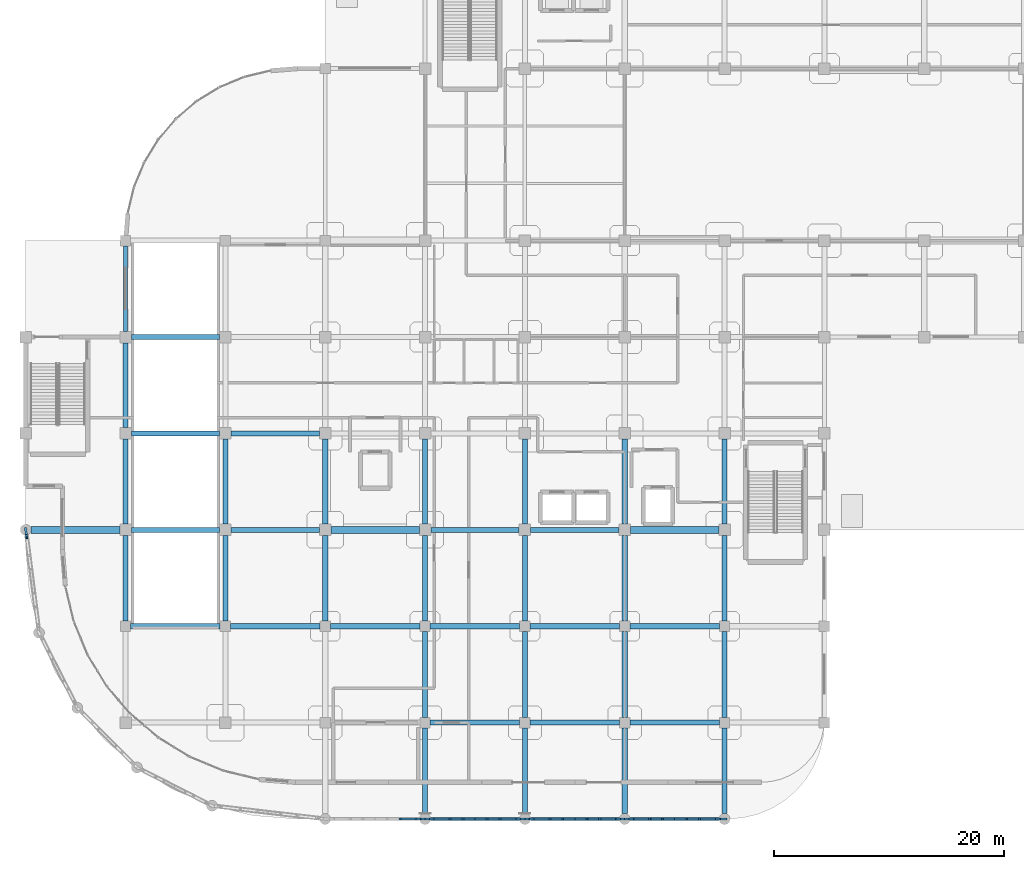
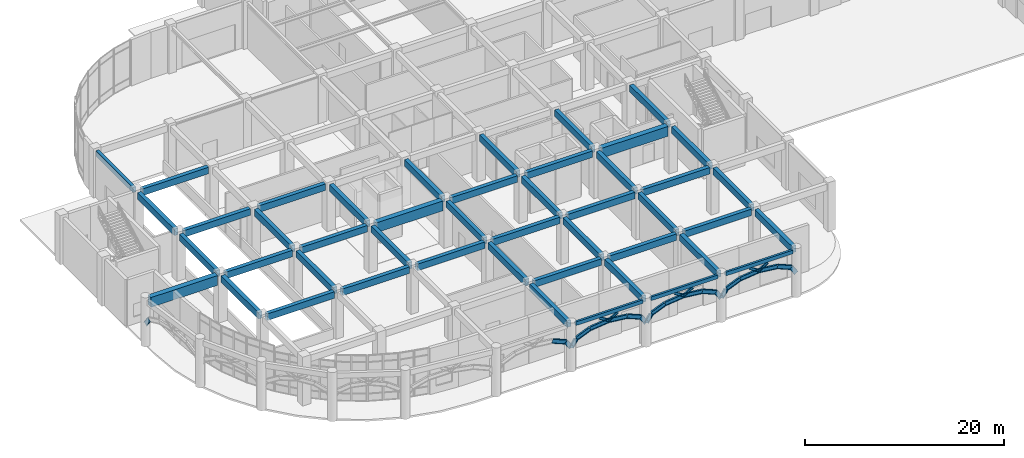
# One storey, part 8 of 82: 67 beams, 6 members.
"""IFC4 building model written with IfcOpenShell, lengths in metres."""

from ifc_helpers import new_model, si_unit, derived_unit, direction, frame, origin, origin_2d, place, context, subcontext, project, spatial, rectangle, i_section, extrude, material, material_profile, profile_set, type_object, element, save


model = new_model("IFC4")

# Units and contexts
model_context = context("Model", 3, precision=1e-05, world=origin(), true_north=direction((0.0, 1.0)))
body_context = subcontext(model_context, "Body", "Model", "MODEL_VIEW")
ifc_project = project(units=[si_unit("LENGTHUNIT", "METRE"), si_unit("AREAUNIT", "SQUARE_METRE"), si_unit("VOLUMEUNIT", "CUBIC_METRE"), si_unit("PLANEANGLEUNIT", "RADIAN"), si_unit("MASSUNIT", "GRAM", prefix="KILO"), derived_unit("THERMALTRANSMITTANCEUNIT", [(si_unit("MASSUNIT", "GRAM", prefix="KILO"), 1), (si_unit("TIMEUNIT", "SECOND"), -3), (si_unit("THERMODYNAMICTEMPERATUREUNIT", "KELVIN"), -1)])], contexts=[model_context])

# Site, building, storey
site_placement = place(None, origin())
site = spatial("IfcSite", under=ifc_project, at=site_placement, CompositionType="ELEMENT")
building_placement = place(site_placement, origin())
building = spatial("IfcBuilding", under=site, at=building_placement, Name="Qinzheling Arcade Emporium", CompositionType="ELEMENT")
storey_placement = place(building_placement, origin())
storey = spatial("IfcBuildingStorey", under=building, at=storey_placement, Name="L01", CompositionType="ELEMENT", Elevation=0.0)

# Beams
ifc_material_1 = material(Name="Weathering steel Q355NH", Category="steel")
ifc_material_profile_1 = material_profile(ifc_material_1, i_section(OverallWidth=0.199951171875, OverallDepth=0.5, WebThickness=0.010009765625, FlangeThickness=0.01611328125, FilletRadius=0.01806640625, at=origin_2d()), Name="HN 500x200x10x16", Category="steel")
ifc_profile_set_1 = profile_set([ifc_material_profile_1], Name="Weathering steel Q355NH")
beam_type_1 = type_object("IfcBeamType", Name="Arcade End Arch Rib HN500 Q355NH", PredefinedType="BEAM", material=ifc_profile_set_1)
beam_1_placement = place(storey_placement, frame((0.0, 25.199951171875, 2.47509765625), z_axis=(0.070232420353, -0.54781287875, 0.833647681582), x_axis=(0.991881664686, 0.127164315985, 0.0)))
element("IfcBeam", 1, at=beam_1_placement, inside=storey, type_object=beam_type_1, Name="Curved Arcade Entrance Arch ARC-L01-CV1-B01-C01", PredefinedType="BEAM", context=body_context, shape_type="SweptSolid", body=[
    extrude(i_section(OverallWidth=0.199951171875, OverallDepth=0.5, WebThickness=0.010009765625, FlangeThickness=0.01611328125, FilletRadius=0.01806640625, at=origin_2d()), origin(), (0.0, 0.0, 1.0), 1.094970703125),
])
beam_2_placement = place(storey_placement, frame((32.625, 0.0, 4.2548828125), z_axis=(0.922124413365, 0.0, -0.386893481823), x_axis=(0.0, 1.0, 0.0)))
element("IfcBeam", 2, at=beam_2_placement, inside=storey, type_object=beam_type_1, Name="Street Entrance Arch ARC-L01-S01-C05", PredefinedType="BEAM", context=body_context, shape_type="SweptSolid", body=[
    extrude(i_section(OverallWidth=0.199951171875, OverallDepth=0.5, WebThickness=0.010009765625, FlangeThickness=0.01611328125, FilletRadius=0.01806640625, at=origin_2d()), origin(), (0.0, 0.0, 1.0), 1.7265625),
])
for number, where, z_axis, x_axis, name in (
    (3, (34.217041015625, 0.0, 3.5869140625), (0.538669576493, 0.0, -0.842517113987), (0.0, 1.0, 0.0), "Street Entrance Arch ARC-L01-S01-C06"),
    (4, (34.800048828125, 0.0, 2.675048828125), (0.538669576493, 0.0, 0.842517113987), (0.0, 1.0, 0.0), "Street Entrance Arch ARC-L01-S02-C01"),
):
    element("IfcBeam", number, at=place(storey_placement, frame(where, z_axis=z_axis, x_axis=x_axis)), inside=storey, type_object=beam_type_1, Name=name, PredefinedType="BEAM", context=body_context, shape_type="SweptSolid", body=[
        extrude(i_section(OverallWidth=0.199951171875, OverallDepth=0.5, WebThickness=0.010009765625, FlangeThickness=0.01611328125, FilletRadius=0.01806640625, at=origin_2d()), origin(), (0.0, 0.0, 1.0), 1.082275390625),
    ])
beam_3_placement = place(storey_placement, frame((35.383056640625, 0.0, 3.5869140625), z_axis=(0.922124413365, 0.0, 0.386893481823), x_axis=(0.0, 1.0, 0.0)))
element("IfcBeam", 5, at=beam_3_placement, inside=storey, type_object=beam_type_1, Name="Street Entrance Arch ARC-L01-S02-C02", PredefinedType="BEAM", context=body_context, shape_type="SweptSolid", body=[
    extrude(i_section(OverallWidth=0.199951171875, OverallDepth=0.5, WebThickness=0.010009765625, FlangeThickness=0.01611328125, FilletRadius=0.01806640625, at=origin_2d()), origin(), (0.0, 0.0, 1.0), 1.7265625),
])
beam_4_placement = place(storey_placement, frame((36.97509765625, 0.0, 4.2548828125), z_axis=(0.993708368594, 0.0, 0.111998563322), x_axis=(0.0, 1.0, 0.0)))
element("IfcBeam", 6, at=beam_4_placement, inside=storey, type_object=beam_type_1, Name="Street Entrance Arch ARC-L01-S02-C03", PredefinedType="BEAM", context=body_context, shape_type="SweptSolid", body=[
    extrude(i_section(OverallWidth=0.199951171875, OverallDepth=0.5, WebThickness=0.010009765625, FlangeThickness=0.01611328125, FilletRadius=0.01806640625, at=origin_2d()), origin(), (0.0, 0.0, 1.0), 2.1884765625),
])
beam_5_placement = place(storey_placement, frame((39.14990234375, 0.0, 4.5), z_axis=(0.993709767638, 0.0, -0.111986149591), x_axis=(0.0, 1.0, 0.0)))
element("IfcBeam", 7, at=beam_5_placement, inside=storey, type_object=beam_type_1, Name="Street Entrance Arch ARC-L01-S02-C04", PredefinedType="BEAM", context=body_context, shape_type="SweptSolid", body=[
    extrude(i_section(OverallWidth=0.199951171875, OverallDepth=0.5, WebThickness=0.010009765625, FlangeThickness=0.01611328125, FilletRadius=0.01806640625, at=origin_2d()), origin(), (0.0, 0.0, 1.0), 2.188720703125),
])
beam_6_placement = place(storey_placement, frame((41.324951171875, 0.0, 4.2548828125), z_axis=(0.922124413365, 0.0, -0.386893481823), x_axis=(0.0, 1.0, 0.0)))
element("IfcBeam", 8, at=beam_6_placement, inside=storey, type_object=beam_type_1, Name="Street Entrance Arch ARC-L01-S02-C05", PredefinedType="BEAM", context=body_context, shape_type="SweptSolid", body=[
    extrude(i_section(OverallWidth=0.199951171875, OverallDepth=0.5, WebThickness=0.010009765625, FlangeThickness=0.01611328125, FilletRadius=0.01806640625, at=origin_2d()), origin(), (0.0, 0.0, 1.0), 1.7265625),
])
for number, where, z_axis, x_axis, name in (
    (9, (42.9169921875, 0.0, 3.5869140625), (0.538669576493, 0.0, -0.842517113987), (0.0, 1.0, 0.0), "Street Entrance Arch ARC-L01-S02-C06"),
    (10, (43.5, 0.0, 2.675048828125), (0.538669576493, 0.0, 0.842517113987), (0.0, 1.0, 0.0), "Street Entrance Arch ARC-L01-S03-C01"),
):
    element("IfcBeam", number, at=place(storey_placement, frame(where, z_axis=z_axis, x_axis=x_axis)), inside=storey, type_object=beam_type_1, Name=name, PredefinedType="BEAM", context=body_context, shape_type="SweptSolid", body=[
        extrude(i_section(OverallWidth=0.199951171875, OverallDepth=0.5, WebThickness=0.010009765625, FlangeThickness=0.01611328125, FilletRadius=0.01806640625, at=origin_2d()), origin(), (0.0, 0.0, 1.0), 1.082275390625),
    ])
beam_7_placement = place(storey_placement, frame((44.0830078125, 0.0, 3.5869140625), z_axis=(0.922124413365, 0.0, 0.386893481823), x_axis=(0.0, 1.0, 0.0)))
element("IfcBeam", 11, at=beam_7_placement, inside=storey, type_object=beam_type_1, Name="Street Entrance Arch ARC-L01-S03-C02", PredefinedType="BEAM", context=body_context, shape_type="SweptSolid", body=[
    extrude(i_section(OverallWidth=0.199951171875, OverallDepth=0.5, WebThickness=0.010009765625, FlangeThickness=0.01611328125, FilletRadius=0.01806640625, at=origin_2d()), origin(), (0.0, 0.0, 1.0), 1.7265625),
])
beam_8_placement = place(storey_placement, frame((45.675048828125, 0.0, 4.2548828125), z_axis=(0.993709767638, 0.0, 0.111986149591), x_axis=(0.0, 1.0, 0.0)))
element("IfcBeam", 12, at=beam_8_placement, inside=storey, type_object=beam_type_1, Name="Street Entrance Arch ARC-L01-S03-C03", PredefinedType="BEAM", context=body_context, shape_type="SweptSolid", body=[
    extrude(i_section(OverallWidth=0.199951171875, OverallDepth=0.5, WebThickness=0.010009765625, FlangeThickness=0.01611328125, FilletRadius=0.01806640625, at=origin_2d()), origin(), (0.0, 0.0, 1.0), 2.188720703125),
])
beam_9_placement = place(storey_placement, frame((47.85009765625, 0.0, 4.5), z_axis=(0.993708368594, 0.0, -0.111998563322), x_axis=(0.0, 1.0, 0.0)))
element("IfcBeam", 13, at=beam_9_placement, inside=storey, type_object=beam_type_1, Name="Street Entrance Arch ARC-L01-S03-C04", PredefinedType="BEAM", context=body_context, shape_type="SweptSolid", body=[
    extrude(i_section(OverallWidth=0.199951171875, OverallDepth=0.5, WebThickness=0.010009765625, FlangeThickness=0.01611328125, FilletRadius=0.01806640625, at=origin_2d()), origin(), (0.0, 0.0, 1.0), 2.1884765625),
])
beam_10_placement = place(storey_placement, frame((50.02490234375, 0.0, 4.2548828125), z_axis=(0.922124413365, 0.0, -0.386893481823), x_axis=(0.0, 1.0, 0.0)))
element("IfcBeam", 14, at=beam_10_placement, inside=storey, type_object=beam_type_1, Name="Street Entrance Arch ARC-L01-S03-C05", PredefinedType="BEAM", context=body_context, shape_type="SweptSolid", body=[
    extrude(i_section(OverallWidth=0.199951171875, OverallDepth=0.5, WebThickness=0.010009765625, FlangeThickness=0.01611328125, FilletRadius=0.01806640625, at=origin_2d()), origin(), (0.0, 0.0, 1.0), 1.7265625),
])
for number, where, z_axis, x_axis, name in (
    (15, (51.616943359375, 0.0, 3.5869140625), (0.538669576493, 0.0, -0.842517113987), (0.0, 1.0, 0.0), "Street Entrance Arch ARC-L01-S03-C06"),
    (16, (52.199951171875, 0.0, 2.675048828125), (0.538669576493, 0.0, 0.842517113987), (0.0, 1.0, 0.0), "Street Entrance Arch ARC-L01-S04-C01"),
):
    element("IfcBeam", number, at=place(storey_placement, frame(where, z_axis=z_axis, x_axis=x_axis)), inside=storey, type_object=beam_type_1, Name=name, PredefinedType="BEAM", context=body_context, shape_type="SweptSolid", body=[
        extrude(i_section(OverallWidth=0.199951171875, OverallDepth=0.5, WebThickness=0.010009765625, FlangeThickness=0.01611328125, FilletRadius=0.01806640625, at=origin_2d()), origin(), (0.0, 0.0, 1.0), 1.082275390625),
    ])
beam_11_placement = place(storey_placement, frame((52.782958984375, 0.0, 3.5869140625), z_axis=(0.922124413365, 0.0, 0.386893481823), x_axis=(0.0, 1.0, 0.0)))
element("IfcBeam", 17, at=beam_11_placement, inside=storey, type_object=beam_type_1, Name="Street Entrance Arch ARC-L01-S04-C02", PredefinedType="BEAM", context=body_context, shape_type="SweptSolid", body=[
    extrude(i_section(OverallWidth=0.199951171875, OverallDepth=0.5, WebThickness=0.010009765625, FlangeThickness=0.01611328125, FilletRadius=0.01806640625, at=origin_2d()), origin(), (0.0, 0.0, 1.0), 1.7265625),
])
for number, where, z_axis, x_axis, name in (
    (18, (54.375, 0.0, 4.2548828125), (0.993709767638, 0.0, 0.111986149591), (0.0, 1.0, 0.0), "Street Entrance Arch ARC-L01-S04-C03"),
    (19, (56.550048828125, 0.0, 4.5), (0.993709767638, 0.0, -0.111986149591), (0.0, 1.0, 0.0), "Street Entrance Arch ARC-L01-S04-C04"),
):
    element("IfcBeam", number, at=place(storey_placement, frame(where, z_axis=z_axis, x_axis=x_axis)), inside=storey, type_object=beam_type_1, Name=name, PredefinedType="BEAM", context=body_context, shape_type="SweptSolid", body=[
        extrude(i_section(OverallWidth=0.199951171875, OverallDepth=0.5, WebThickness=0.010009765625, FlangeThickness=0.01611328125, FilletRadius=0.01806640625, at=origin_2d()), origin(), (0.0, 0.0, 1.0), 2.188720703125),
    ])
beam_12_placement = place(storey_placement, frame((58.72509765625, 0.0, 4.2548828125), z_axis=(0.922103242281, 0.0, -0.386943937251), x_axis=(0.0, 1.0, 0.0)))
element("IfcBeam", 20, at=beam_12_placement, inside=storey, type_object=beam_type_1, Name="Street Entrance Arch ARC-L01-S04-C05", PredefinedType="BEAM", context=body_context, shape_type="SweptSolid", body=[
    extrude(i_section(OverallWidth=0.199951171875, OverallDepth=0.5, WebThickness=0.010009765625, FlangeThickness=0.01611328125, FilletRadius=0.01806640625, at=origin_2d()), origin(), (0.0, 0.0, 1.0), 1.726318359375),
])
beam_13_placement = place(storey_placement, frame((60.31689453125, 0.0, 3.5869140625), z_axis=(0.538669576493, 0.0, -0.842517113987), x_axis=(0.0, 1.0, 0.0)))
element("IfcBeam", 21, at=beam_13_placement, inside=storey, type_object=beam_type_1, Name="Street Entrance Arch ARC-L01-S04-C06", PredefinedType="BEAM", context=body_context, shape_type="SweptSolid", body=[
    extrude(i_section(OverallWidth=0.199951171875, OverallDepth=0.5, WebThickness=0.010009765625, FlangeThickness=0.01611328125, FilletRadius=0.01806640625, at=origin_2d()), origin(), (0.0, 0.0, 1.0), 1.082275390625),
])

# Members
ifc_material_profile_2 = material_profile(ifc_material_1, i_section(OverallWidth=0.14990234375, OverallDepth=0.300048828125, WebThickness=0.006591796875, FlangeThickness=0.009033203125, FilletRadius=0.012939453125, at=origin_2d()), Name="HN 300x150x6.5x9", Category="steel")
ifc_profile_set_2 = profile_set([ifc_material_profile_2], Name="Weathering steel Q355NH")
member_type = type_object("IfcMemberType", Name="Arcade Spandrel Web Chord HN300 Q355NH", PredefinedType="CHORD", material=ifc_profile_set_2)
member_1_placement = place(storey_placement, frame((39.14990234375, 0.0, 4.510009765625), z_axis=(-0.853880124948, 0.0, 0.520469722672), x_axis=(0.0, -1.0, 0.0)))
element("IfcMember", 22, at=member_1_placement, inside=storey, type_object=member_type, Name="Street Spandrel Web Chord ASW-L01-S02-W1", PredefinedType="CHORD", context=body_context, shape_type="SweptSolid", body=[
    extrude(i_section(OverallWidth=0.14990234375, OverallDepth=0.300048828125, WebThickness=0.006591796875, FlangeThickness=0.009033203125, FilletRadius=0.012939453125, at=origin_2d()), origin(), (0.0, 0.0, 1.0), 1.2294921875),
])
for number, where, z_axis, x_axis, name in (
    (23, (39.14990234375, 0.0, 4.510009765625), (0.85393390348, 0.0, 0.520381483613), (0.0, 1.0, 0.0), "Street Spandrel Web Chord ASW-L01-S02-W2"),
    (24, (47.85009765625, 0.0, 4.510009765625), (-0.85393390348, 0.0, 0.520381483613), (0.0, -1.0, 0.0), "Street Spandrel Web Chord ASW-L01-S03-W1"),
):
    element("IfcMember", number, at=place(storey_placement, frame(where, z_axis=z_axis, x_axis=x_axis)), inside=storey, type_object=member_type, Name=name, PredefinedType="CHORD", context=body_context, shape_type="SweptSolid", body=[
        extrude(i_section(OverallWidth=0.14990234375, OverallDepth=0.300048828125, WebThickness=0.006591796875, FlangeThickness=0.009033203125, FilletRadius=0.012939453125, at=origin_2d()), origin(), (0.0, 0.0, 1.0), 1.229736328125),
    ])
member_2_placement = place(storey_placement, frame((47.85009765625, 0.0, 4.510009765625), z_axis=(0.853880124948, 0.0, 0.520469722672), x_axis=(0.0, 1.0, 0.0)))
element("IfcMember", 25, at=member_2_placement, inside=storey, type_object=member_type, Name="Street Spandrel Web Chord ASW-L01-S03-W2", PredefinedType="CHORD", context=body_context, shape_type="SweptSolid", body=[
    extrude(i_section(OverallWidth=0.14990234375, OverallDepth=0.300048828125, WebThickness=0.006591796875, FlangeThickness=0.009033203125, FilletRadius=0.012939453125, at=origin_2d()), origin(), (0.0, 0.0, 1.0), 1.2294921875),
])
for number, where, z_axis, x_axis, name in (
    (26, (56.550048828125, 0.0, 4.510009765625), (-0.85393390348, 0.0, 0.520381483613), (0.0, -1.0, 0.0), "Street Spandrel Web Chord ASW-L01-S04-W1"),
    (27, (56.550048828125, 0.0, 4.510009765625), (0.85393390348, 0.0, 0.520381483613), (0.0, 1.0, 0.0), "Street Spandrel Web Chord ASW-L01-S04-W2"),
):
    element("IfcMember", number, at=place(storey_placement, frame(where, z_axis=z_axis, x_axis=x_axis)), inside=storey, type_object=member_type, Name=name, PredefinedType="CHORD", context=body_context, shape_type="SweptSolid", body=[
        extrude(i_section(OverallWidth=0.14990234375, OverallDepth=0.300048828125, WebThickness=0.006591796875, FlangeThickness=0.009033203125, FilletRadius=0.012939453125, at=origin_2d()), origin(), (0.0, 0.0, 1.0), 1.229736328125),
    ])

# Beams
ifc_material_2 = material(Name="Concrete C40", Category="concrete")
ifc_material_profile_3 = material_profile(ifc_material_2, rectangle(XDim=0.25, YDim=0.449951171875, at=origin_2d()), Name="RC 250x450", Category="concrete")
ifc_profile_set_3 = profile_set([ifc_material_profile_3], Name="Concrete C40")
beam_type_2 = type_object("IfcBeamType", Name="RC Opening Lintel Beam 250x450 C40", PredefinedType="LINTEL", material=ifc_profile_set_3)
for number, where, z_axis, x_axis, name in (
    (28, (35.27490234375, 0.0, 5.4951171875), (1.0, 0.0, 0.0), (0.0, 1.0, 0.0), "Beam BM-L01-X-A-5"),
    (29, (43.97509765625, 0.0, 5.4951171875), (1.0, 0.0, 0.0), (0.0, 1.0, 0.0), "Beam BM-L01-X-A-6"),
    (30, (52.675048828125, 0.0, 5.4951171875), (1.0, 0.0, 0.0), (0.0, 1.0, 0.0), "Beam BM-L01-X-A-7"),
):
    element("IfcBeam", number, at=place(storey_placement, frame(where, z_axis=z_axis, x_axis=x_axis)), inside=storey, type_object=beam_type_2, Name=name, PredefinedType="LINTEL", context=body_context, shape_type="SweptSolid", body=[
        extrude(rectangle(XDim=0.25, YDim=0.449951171875, at=origin_2d()), origin(), (0.0, 0.0, 1.0), 7.75),
    ])
ifc_material_profile_4 = material_profile(ifc_material_2, rectangle(XDim=0.449951171875, YDim=0.800048828125, at=origin_2d()), Name="RC 450x800", Category="concrete")
ifc_profile_set_4 = profile_set([ifc_material_profile_4], Name="Concrete C40")
beam_type_3 = type_object("IfcBeamType", Name="RC Primary Frame Beam 450x800 C40", PredefinedType="BEAM", material=ifc_profile_set_4)
for number, where, z_axis, x_axis, name in (
    (31, (35.25, 8.39990234375, 5.320068359375), (1.0, 0.0, 0.0), (0.0, 1.0, 0.0), "Beam BM-L01-X-B-5"),
    (32, (43.949951171875, 8.39990234375, 5.320068359375), (1.0, 0.0, 0.0), (0.0, 1.0, 0.0), "Beam BM-L01-X-B-6"),
    (33, (52.64990234375, 8.39990234375, 5.320068359375), (1.0, 0.0, 0.0), (0.0, 1.0, 0.0), "Beam BM-L01-X-B-7"),
    (34, (9.14990234375, 16.800048828125, 5.320068359375), (1.0, 0.0, 0.0), (0.0, 1.0, 0.0), "Beam BM-L01-X-C-2"),
):
    element("IfcBeam", number, at=place(storey_placement, frame(where, z_axis=z_axis, x_axis=x_axis)), inside=storey, type_object=beam_type_3, Name=name, PredefinedType="BEAM", context=body_context, shape_type="SweptSolid", body=[
        extrude(rectangle(XDim=0.449951171875, YDim=0.800048828125, at=origin_2d()), origin(), (0.0, 0.0, 1.0), 7.800048828125),
    ])
beam_14_placement = place(storey_placement, frame((17.85009765625, 16.800048828125, 5.320068359375), z_axis=(1.0, 0.0, 0.0), x_axis=(0.0, 1.0, 0.0)))
element("IfcBeam", 35, at=beam_14_placement, inside=storey, type_object=beam_type_3, Name="Beam BM-L01-X-C-3", PredefinedType="BEAM", context=body_context, shape_type="SweptSolid", body=[
    extrude(rectangle(XDim=0.449951171875, YDim=0.800048828125, at=origin_2d()), origin(), (0.0, 0.0, 1.0), 7.7998046875),
])
for number, where, z_axis, x_axis, name in (
    (36, (26.550048828125, 16.800048828125, 5.320068359375), (1.0, 0.0, 0.0), (0.0, 1.0, 0.0), "Beam BM-L01-X-C-4"),
    (37, (35.25, 16.800048828125, 5.320068359375), (1.0, 0.0, 0.0), (0.0, 1.0, 0.0), "Beam BM-L01-X-C-5"),
    (38, (43.949951171875, 16.800048828125, 5.320068359375), (1.0, 0.0, 0.0), (0.0, 1.0, 0.0), "Beam BM-L01-X-C-6"),
    (39, (52.64990234375, 16.800048828125, 5.320068359375), (1.0, 0.0, 0.0), (0.0, 1.0, 0.0), "Beam BM-L01-X-C-7"),
):
    element("IfcBeam", number, at=place(storey_placement, frame(where, z_axis=z_axis, x_axis=x_axis)), inside=storey, type_object=beam_type_3, Name=name, PredefinedType="BEAM", context=body_context, shape_type="SweptSolid", body=[
        extrude(rectangle(XDim=0.449951171875, YDim=0.800048828125, at=origin_2d()), origin(), (0.0, 0.0, 1.0), 7.800048828125),
    ])
beam_15_placement = place(storey_placement, frame((9.199951171875, 25.199951171875, 5.320068359375), z_axis=(1.0, 0.0, 0.0), x_axis=(0.0, 1.0, 0.0)))
element("IfcBeam", 40, at=beam_15_placement, inside=storey, type_object=beam_type_3, Name="Beam BM-L01-X-D-2", PredefinedType="BEAM", context=body_context, shape_type="SweptSolid", body=[
    extrude(rectangle(XDim=0.449951171875, YDim=0.800048828125, at=origin_2d()), origin(), (0.0, 0.0, 1.0), 7.699951171875),
])
beam_16_placement = place(storey_placement, frame((17.89990234375, 25.199951171875, 5.320068359375), z_axis=(1.0, 0.0, 0.0), x_axis=(0.0, 1.0, 0.0)))
element("IfcBeam", 41, at=beam_16_placement, inside=storey, type_object=beam_type_3, Name="Beam BM-L01-X-D-3", PredefinedType="BEAM", context=body_context, shape_type="SweptSolid", body=[
    extrude(rectangle(XDim=0.449951171875, YDim=0.800048828125, at=origin_2d()), origin(), (0.0, 0.0, 1.0), 7.7001953125),
])
for number, where, z_axis, x_axis, name in (
    (42, (35.300048828125, 25.199951171875, 5.320068359375), (1.0, 0.0, 0.0), (0.0, 1.0, 0.0), "Beam BM-L01-X-D-5"),
    (43, (44.0, 25.199951171875, 5.320068359375), (1.0, 0.0, 0.0), (0.0, 1.0, 0.0), "Beam BM-L01-X-D-6"),
    (44, (9.199951171875, 33.60009765625, 5.320068359375), (1.0, 0.0, 0.0), (0.0, 1.0, 0.0), "Beam BM-L01-X-E-2"),
):
    element("IfcBeam", number, at=place(storey_placement, frame(where, z_axis=z_axis, x_axis=x_axis)), inside=storey, type_object=beam_type_3, Name=name, PredefinedType="BEAM", context=body_context, shape_type="SweptSolid", body=[
        extrude(rectangle(XDim=0.449951171875, YDim=0.800048828125, at=origin_2d()), origin(), (0.0, 0.0, 1.0), 7.699951171875),
    ])
beam_17_placement = place(storey_placement, frame((17.89990234375, 33.60009765625, 5.320068359375), z_axis=(1.0, 0.0, 0.0), x_axis=(0.0, 1.0, 0.0)))
element("IfcBeam", 45, at=beam_17_placement, inside=storey, type_object=beam_type_3, Name="Beam BM-L01-X-E-3", PredefinedType="BEAM", context=body_context, shape_type="SweptSolid", body=[
    extrude(rectangle(XDim=0.449951171875, YDim=0.800048828125, at=origin_2d()), origin(), (0.0, 0.0, 1.0), 7.7001953125),
])
beam_18_placement = place(storey_placement, frame((9.199951171875, 42.0, 5.320068359375), z_axis=(1.0, 0.0, 0.0), x_axis=(0.0, 1.0, 0.0)))
element("IfcBeam", 46, at=beam_18_placement, inside=storey, type_object=beam_type_3, Name="Beam BM-L01-X-F-2", PredefinedType="BEAM", context=body_context, shape_type="SweptSolid", body=[
    extrude(rectangle(XDim=0.449951171875, YDim=0.800048828125, at=origin_2d()), origin(), (0.0, 0.0, 1.0), 7.699951171875),
])
beam_19_placement = place(storey_placement, frame((8.699951171875, 17.25, 5.320068359375), z_axis=(0.0, 1.0, 0.0), x_axis=(-1.0, 0.0, 0.0)))
element("IfcBeam", 47, at=beam_19_placement, inside=storey, type_object=beam_type_3, Name="Beam BM-L01-Y-2-C", PredefinedType="BEAM", context=body_context, shape_type="SweptSolid", body=[
    extrude(rectangle(XDim=0.449951171875, YDim=0.800048828125, at=origin_2d()), origin(), (0.0, 0.0, 1.0), 7.449951171875),
])
beam_20_placement = place(storey_placement, frame((8.699951171875, 25.699951171875, 5.320068359375), z_axis=(0.0, 1.0, 0.0), x_axis=(-1.0, 0.0, 0.0)))
element("IfcBeam", 48, at=beam_20_placement, inside=storey, type_object=beam_type_3, Name="Beam BM-L01-Y-2-D", PredefinedType="BEAM", context=body_context, shape_type="SweptSolid", body=[
    extrude(rectangle(XDim=0.449951171875, YDim=0.800048828125, at=origin_2d()), origin(), (0.0, 0.0, 1.0), 7.400146484375),
])
beam_21_placement = place(storey_placement, frame((8.699951171875, 34.10009765625, 5.320068359375), z_axis=(0.0, 1.0, 0.0), x_axis=(-1.0, 0.0, 0.0)))
element("IfcBeam", 49, at=beam_21_placement, inside=storey, type_object=beam_type_3, Name="Beam BM-L01-Y-2-E", PredefinedType="BEAM", context=body_context, shape_type="SweptSolid", body=[
    extrude(rectangle(XDim=0.449951171875, YDim=0.800048828125, at=origin_2d()), origin(), (0.0, 0.0, 1.0), 7.39990234375),
])
beam_22_placement = place(storey_placement, frame((17.39990234375, 17.25, 5.320068359375), z_axis=(0.0, 1.0, 0.0), x_axis=(-1.0, 0.0, 0.0)))
element("IfcBeam", 50, at=beam_22_placement, inside=storey, type_object=beam_type_3, Name="Beam BM-L01-Y-3-C", PredefinedType="BEAM", context=body_context, shape_type="SweptSolid", body=[
    extrude(rectangle(XDim=0.449951171875, YDim=0.800048828125, at=origin_2d()), origin(), (0.0, 0.0, 1.0), 7.449951171875),
])
beam_23_placement = place(storey_placement, frame((17.39990234375, 25.699951171875, 5.320068359375), z_axis=(0.0, 1.0, 0.0), x_axis=(-1.0, 0.0, 0.0)))
element("IfcBeam", 51, at=beam_23_placement, inside=storey, type_object=beam_type_3, Name="Beam BM-L01-Y-3-D", PredefinedType="BEAM", context=body_context, shape_type="SweptSolid", body=[
    extrude(rectangle(XDim=0.449951171875, YDim=0.800048828125, at=origin_2d()), origin(), (0.0, 0.0, 1.0), 7.400146484375),
])
beam_24_placement = place(storey_placement, frame((26.10009765625, 17.25, 5.320068359375), z_axis=(0.0, 1.0, 0.0), x_axis=(-1.0, 0.0, 0.0)))
element("IfcBeam", 52, at=beam_24_placement, inside=storey, type_object=beam_type_3, Name="Beam BM-L01-Y-4-C", PredefinedType="BEAM", context=body_context, shape_type="SweptSolid", body=[
    extrude(rectangle(XDim=0.449951171875, YDim=0.800048828125, at=origin_2d()), origin(), (0.0, 0.0, 1.0), 7.449951171875),
])
beam_25_placement = place(storey_placement, frame((26.10009765625, 25.699951171875, 5.320068359375), z_axis=(0.0, 1.0, 0.0), x_axis=(-1.0, 0.0, 0.0)))
element("IfcBeam", 53, at=beam_25_placement, inside=storey, type_object=beam_type_3, Name="Beam BM-L01-Y-4-D", PredefinedType="BEAM", context=body_context, shape_type="SweptSolid", body=[
    extrude(rectangle(XDim=0.449951171875, YDim=0.800048828125, at=origin_2d()), origin(), (0.0, 0.0, 1.0), 7.400146484375),
])
beam_26_placement = place(storey_placement, frame((34.800048828125, 0.47509765625, 5.320068359375), z_axis=(0.0, 1.0, 0.0), x_axis=(-1.0, 0.0, 0.0)))
element("IfcBeam", 54, at=beam_26_placement, inside=storey, type_object=beam_type_3, Name="Beam BM-L01-Y-5-A", PredefinedType="BEAM", context=body_context, shape_type="SweptSolid", body=[
    extrude(rectangle(XDim=0.449951171875, YDim=0.800048828125, at=origin_2d()), origin(), (0.0, 0.0, 1.0), 7.474853515625),
])
beam_27_placement = place(storey_placement, frame((34.800048828125, 8.85009765625, 5.320068359375), z_axis=(0.0, 1.0, 0.0), x_axis=(-1.0, 0.0, 0.0)))
element("IfcBeam", 55, at=beam_27_placement, inside=storey, type_object=beam_type_3, Name="Beam BM-L01-Y-5-B", PredefinedType="BEAM", context=body_context, shape_type="SweptSolid", body=[
    extrude(rectangle(XDim=0.449951171875, YDim=0.800048828125, at=origin_2d()), origin(), (0.0, 0.0, 1.0), 7.5),
])
beam_28_placement = place(storey_placement, frame((34.800048828125, 17.25, 5.320068359375), z_axis=(0.0, 1.0, 0.0), x_axis=(-1.0, 0.0, 0.0)))
element("IfcBeam", 56, at=beam_28_placement, inside=storey, type_object=beam_type_3, Name="Beam BM-L01-Y-5-C", PredefinedType="BEAM", context=body_context, shape_type="SweptSolid", body=[
    extrude(rectangle(XDim=0.449951171875, YDim=0.800048828125, at=origin_2d()), origin(), (0.0, 0.0, 1.0), 7.449951171875),
])
beam_29_placement = place(storey_placement, frame((34.800048828125, 25.699951171875, 5.320068359375), z_axis=(0.0, 1.0, 0.0), x_axis=(-1.0, 0.0, 0.0)))
element("IfcBeam", 57, at=beam_29_placement, inside=storey, type_object=beam_type_3, Name="Beam BM-L01-Y-5-D", PredefinedType="BEAM", context=body_context, shape_type="SweptSolid", body=[
    extrude(rectangle(XDim=0.449951171875, YDim=0.800048828125, at=origin_2d()), origin(), (0.0, 0.0, 1.0), 7.400146484375),
])
beam_30_placement = place(storey_placement, frame((43.5, 0.47509765625, 5.320068359375), z_axis=(0.0, 1.0, 0.0), x_axis=(-1.0, 0.0, 0.0)))
element("IfcBeam", 58, at=beam_30_placement, inside=storey, type_object=beam_type_3, Name="Beam BM-L01-Y-6-A", PredefinedType="BEAM", context=body_context, shape_type="SweptSolid", body=[
    extrude(rectangle(XDim=0.449951171875, YDim=0.800048828125, at=origin_2d()), origin(), (0.0, 0.0, 1.0), 7.474853515625),
])
beam_31_placement = place(storey_placement, frame((43.5, 8.85009765625, 5.320068359375), z_axis=(0.0, 1.0, 0.0), x_axis=(-1.0, 0.0, 0.0)))
element("IfcBeam", 59, at=beam_31_placement, inside=storey, type_object=beam_type_3, Name="Beam BM-L01-Y-6-B", PredefinedType="BEAM", context=body_context, shape_type="SweptSolid", body=[
    extrude(rectangle(XDim=0.449951171875, YDim=0.800048828125, at=origin_2d()), origin(), (0.0, 0.0, 1.0), 7.5),
])
beam_32_placement = place(storey_placement, frame((43.5, 17.25, 5.320068359375), z_axis=(0.0, 1.0, 0.0), x_axis=(-1.0, 0.0, 0.0)))
element("IfcBeam", 60, at=beam_32_placement, inside=storey, type_object=beam_type_3, Name="Beam BM-L01-Y-6-C", PredefinedType="BEAM", context=body_context, shape_type="SweptSolid", body=[
    extrude(rectangle(XDim=0.449951171875, YDim=0.800048828125, at=origin_2d()), origin(), (0.0, 0.0, 1.0), 7.449951171875),
])
beam_33_placement = place(storey_placement, frame((43.5, 25.699951171875, 5.320068359375), z_axis=(0.0, 1.0, 0.0), x_axis=(-1.0, 0.0, 0.0)))
element("IfcBeam", 61, at=beam_33_placement, inside=storey, type_object=beam_type_3, Name="Beam BM-L01-Y-6-D", PredefinedType="BEAM", context=body_context, shape_type="SweptSolid", body=[
    extrude(rectangle(XDim=0.449951171875, YDim=0.800048828125, at=origin_2d()), origin(), (0.0, 0.0, 1.0), 7.400146484375),
])
beam_34_placement = place(storey_placement, frame((52.199951171875, 0.47509765625, 5.320068359375), z_axis=(0.0, 1.0, 0.0), x_axis=(-1.0, 0.0, 0.0)))
element("IfcBeam", 62, at=beam_34_placement, inside=storey, type_object=beam_type_3, Name="Beam BM-L01-Y-7-A", PredefinedType="BEAM", context=body_context, shape_type="SweptSolid", body=[
    extrude(rectangle(XDim=0.449951171875, YDim=0.800048828125, at=origin_2d()), origin(), (0.0, 0.0, 1.0), 7.474853515625),
])
beam_35_placement = place(storey_placement, frame((52.199951171875, 8.85009765625, 5.320068359375), z_axis=(0.0, 1.0, 0.0), x_axis=(-1.0, 0.0, 0.0)))
element("IfcBeam", 63, at=beam_35_placement, inside=storey, type_object=beam_type_3, Name="Beam BM-L01-Y-7-B", PredefinedType="BEAM", context=body_context, shape_type="SweptSolid", body=[
    extrude(rectangle(XDim=0.449951171875, YDim=0.800048828125, at=origin_2d()), origin(), (0.0, 0.0, 1.0), 7.5),
])
beam_36_placement = place(storey_placement, frame((52.199951171875, 17.25, 5.320068359375), z_axis=(0.0, 1.0, 0.0), x_axis=(-1.0, 0.0, 0.0)))
element("IfcBeam", 64, at=beam_36_placement, inside=storey, type_object=beam_type_3, Name="Beam BM-L01-Y-7-C", PredefinedType="BEAM", context=body_context, shape_type="SweptSolid", body=[
    extrude(rectangle(XDim=0.449951171875, YDim=0.800048828125, at=origin_2d()), origin(), (0.0, 0.0, 1.0), 7.449951171875),
])
beam_37_placement = place(storey_placement, frame((52.199951171875, 25.699951171875, 5.320068359375), z_axis=(0.0, 1.0, 0.0), x_axis=(-1.0, 0.0, 0.0)))
element("IfcBeam", 65, at=beam_37_placement, inside=storey, type_object=beam_type_3, Name="Beam BM-L01-Y-7-D", PredefinedType="BEAM", context=body_context, shape_type="SweptSolid", body=[
    extrude(rectangle(XDim=0.449951171875, YDim=0.800048828125, at=origin_2d()), origin(), (0.0, 0.0, 1.0), 7.400146484375),
])
beam_38_placement = place(storey_placement, frame((60.89990234375, 0.47509765625, 5.320068359375), z_axis=(0.0, 1.0, 0.0), x_axis=(-1.0, 0.0, 0.0)))
element("IfcBeam", 66, at=beam_38_placement, inside=storey, type_object=beam_type_3, Name="Beam BM-L01-Y-8-A", PredefinedType="BEAM", context=body_context, shape_type="SweptSolid", body=[
    extrude(rectangle(XDim=0.449951171875, YDim=0.800048828125, at=origin_2d()), origin(), (0.0, 0.0, 1.0), 7.474853515625),
])
beam_39_placement = place(storey_placement, frame((60.89990234375, 8.85009765625, 5.320068359375), z_axis=(0.0, 1.0, 0.0), x_axis=(-1.0, 0.0, 0.0)))
element("IfcBeam", 67, at=beam_39_placement, inside=storey, type_object=beam_type_3, Name="Beam BM-L01-Y-8-B", PredefinedType="BEAM", context=body_context, shape_type="SweptSolid", body=[
    extrude(rectangle(XDim=0.449951171875, YDim=0.800048828125, at=origin_2d()), origin(), (0.0, 0.0, 1.0), 7.5),
])
beam_40_placement = place(storey_placement, frame((60.89990234375, 17.25, 5.320068359375), z_axis=(0.0, 1.0, 0.0), x_axis=(-1.0, 0.0, 0.0)))
element("IfcBeam", 68, at=beam_40_placement, inside=storey, type_object=beam_type_3, Name="Beam BM-L01-Y-8-C", PredefinedType="BEAM", context=body_context, shape_type="SweptSolid", body=[
    extrude(rectangle(XDim=0.449951171875, YDim=0.800048828125, at=origin_2d()), origin(), (0.0, 0.0, 1.0), 7.449951171875),
])
beam_41_placement = place(storey_placement, frame((60.89990234375, 25.699951171875, 5.320068359375), z_axis=(0.0, 1.0, 0.0), x_axis=(-1.0, 0.0, 0.0)))
element("IfcBeam", 69, at=beam_41_placement, inside=storey, type_object=beam_type_3, Name="Beam BM-L01-Y-8-D", PredefinedType="BEAM", context=body_context, shape_type="SweptSolid", body=[
    extrude(rectangle(XDim=0.449951171875, YDim=0.800048828125, at=origin_2d()), origin(), (0.0, 0.0, 1.0), 7.400146484375),
])
ifc_material_profile_5 = material_profile(ifc_material_2, rectangle(XDim=0.35009765625, YDim=0.64990234375, at=origin_2d()), Name="RC 350x650", Category="concrete")
ifc_profile_set_5 = profile_set([ifc_material_profile_5], Name="Concrete C40")
beam_type_4 = type_object("IfcBeamType", Name="RC Spandrel Edge Beam 350x650 C40", PredefinedType="SPANDREL", material=ifc_profile_set_5)
beam_42_placement = place(storey_placement, frame((8.699951171875, 42.5, 5.39501953125), z_axis=(0.0, 1.0, 0.0), x_axis=(-1.0, 0.0, 0.0)))
element("IfcBeam", 70, at=beam_42_placement, inside=storey, type_object=beam_type_4, Name="Beam BM-L01-Y-2-F", PredefinedType="SPANDREL", context=body_context, shape_type="SweptSolid", body=[
    extrude(rectangle(XDim=0.35009765625, YDim=0.64990234375, at=origin_2d()), origin(), (0.0, 0.0, 1.0), 7.449951171875),
])
ifc_material_profile_6 = material_profile(ifc_material_2, rectangle(XDim=0.60009765625, YDim=1.199951171875, at=origin_2d()), Name="RC 600x1200", Category="concrete")
ifc_profile_set_6 = profile_set([ifc_material_profile_6], Name="Concrete C40")
beam_type_5 = type_object("IfcBeamType", Name="RC Transfer Girder 600x1200 C40", PredefinedType="USERDEFINED", material=ifc_profile_set_6)
beam_43_placement = place(storey_placement, frame((0.47509765625, 25.199951171875, 5.1201171875), z_axis=(1.0, 0.0, 0.0), x_axis=(0.0, 1.0, 0.0)))
element("IfcBeam", 71, at=beam_43_placement, inside=storey, type_object=beam_type_5, Name="Beam BM-L01-X-D-1", ObjectType="TRANSFER_GIRDER", PredefinedType="USERDEFINED", context=body_context, shape_type="SweptSolid", body=[
    extrude(rectangle(XDim=0.60009765625, YDim=1.199951171875, at=origin_2d()), origin(), (0.0, 0.0, 1.0), 7.724853515625),
])
for number, where, z_axis, x_axis, name in (
    (72, (26.60009765625, 25.199951171875, 5.1201171875), (1.0, 0.0, 0.0), (0.0, 1.0, 0.0), "Beam BM-L01-X-D-4"),
    (73, (52.699951171875, 25.199951171875, 5.1201171875), (1.0, 0.0, 0.0), (0.0, 1.0, 0.0), "Beam BM-L01-X-D-7"),
):
    element("IfcBeam", number, at=place(storey_placement, frame(where, z_axis=z_axis, x_axis=x_axis)), inside=storey, type_object=beam_type_5, Name=name, ObjectType="TRANSFER_GIRDER", PredefinedType="USERDEFINED", context=body_context, shape_type="SweptSolid", body=[
        extrude(rectangle(XDim=0.60009765625, YDim=1.199951171875, at=origin_2d()), origin(), (0.0, 0.0, 1.0), 7.699951171875),
    ])

save(model, "model.ifc")
